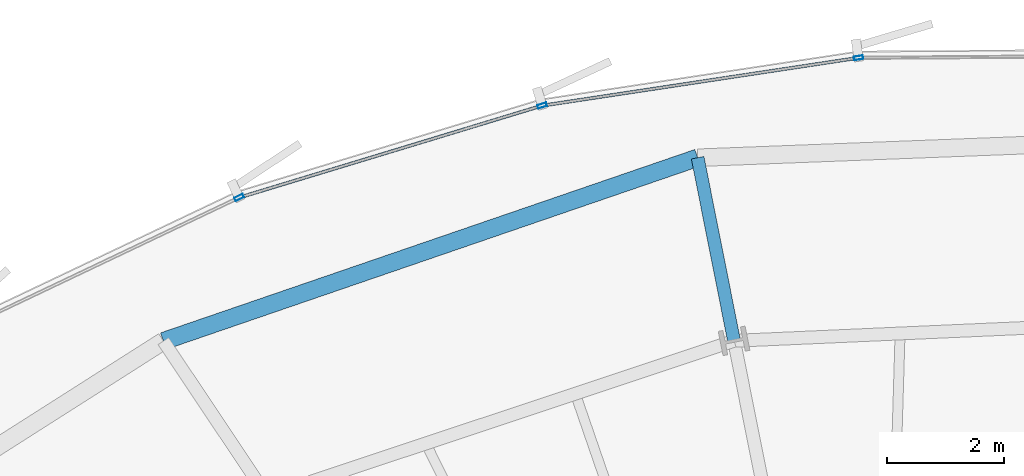
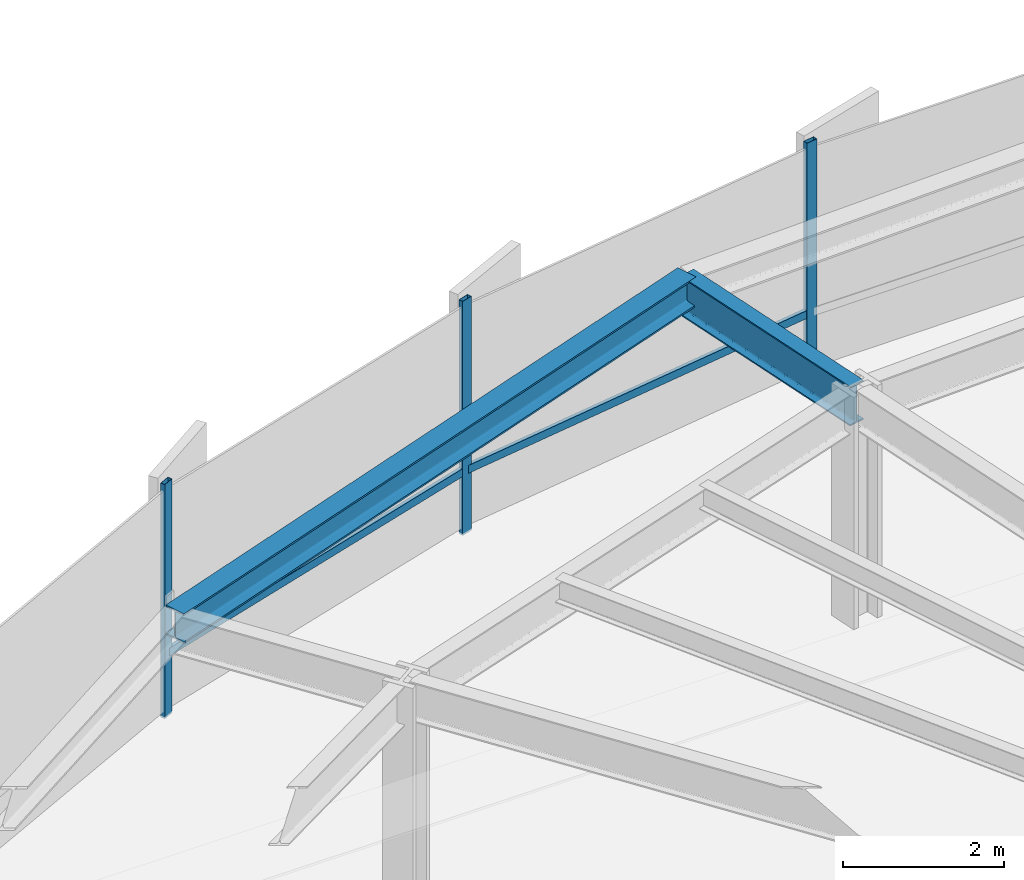
# One storey, part 21 of 37: 5 members, 2 beams, 1 element without a shape of its own.
"""IFC4 building model written with IfcOpenShell, lengths in metres."""

from ifc_helpers import new_model, si_unit, direction, frame, origin, origin_2d, place, context, subcontext, project, spatial, hollow_rectangle, i_section, extrude, source, transform, mapped, material, layer, layer_set, material_profile, profile_set, type_object, element, aggregate, save


model = new_model("IFC4")

# Units and contexts
model_context = context("Model", 3, precision=1e-05, world=origin(), true_north=direction((0.0, 1.0)))
body_context = subcontext(model_context, "Body", "Model", "MODEL_VIEW")
ifc_project = project(units=[si_unit("LENGTHUNIT", "METRE"), si_unit("AREAUNIT", "SQUARE_METRE"), si_unit("VOLUMEUNIT", "CUBIC_METRE"), si_unit("PLANEANGLEUNIT", "RADIAN"), si_unit("MASSUNIT", "GRAM", prefix="KILO"), si_unit("THERMODYNAMICTEMPERATUREUNIT", "KELVIN")], contexts=[model_context])

# Site, building, storey
site_placement = place(None, origin())
site = spatial("IfcSite", under=ifc_project, at=site_placement, CompositionType="ELEMENT")
building_placement = place(site_placement, origin())
building = spatial("IfcBuilding", under=site, at=building_placement, Name="Kethvar Cultural Tower", CompositionType="ELEMENT")
storey_placement = place(building_placement, frame((0.0, 0.0, 48.60009765625)))
storey = spatial("IfcBuildingStorey", under=building, at=storey_placement, Name="L11", CompositionType="ELEMENT", Elevation=48.60009765625)

# Beams
ifc_material_1 = material(Name="Steel S355J2", Category="steel")
ifc_material_profile_1 = material_profile(ifc_material_1, i_section(OverallWidth=0.219970703125, OverallDepth=0.60009765625, WebThickness=0.011962890625, FlangeThickness=0.01904296875, FilletRadius=0.02392578125, at=origin_2d()), Name="Steel S355J2 — IPE600")
ifc_profile_set_1 = profile_set([ifc_material_profile_1], Name="Steel S355J2 — IPE600")
beam_type_1 = type_object("IfcBeamType", Name="BM-IPE600", PredefinedType="BEAM", material=ifc_profile_set_1)
shared_shape_1 = source(origin(), body_context, "Body", "SweptSolid", [
    extrude(i_section(OverallWidth=0.219970703125, OverallDepth=0.60009765625, WebThickness=0.011962890625, FlangeThickness=0.01904296875, FilletRadius=0.02392578125, at=origin_2d()), origin(), (0.0, 0.0, 1.0), 3.199951171875),
])
beam_1_placement = place(storey_placement, frame((42.651611328125, 48.65576171875, 3.247802734375), z_axis=(-0.195162356126, 0.980770949178, 0.0), x_axis=(-0.980770949178, -0.195162356126, 0.0)))
element("IfcBeam", 1, at=beam_1_placement, inside=storey, type_object=beam_type_1, Name="L11 Perimeter Cantilever Beam RC-05", PredefinedType="BEAM", context=body_context, shape_type="MappedRepresentation", body=[
    mapped(shared_shape_1, transform((0.0, 0.0, 0.0), scale=1.0)),
])
ifc_material_profile_2 = material_profile(ifc_material_1, i_section(OverallWidth=0.300048828125, OverallDepth=0.449951171875, WebThickness=0.013916015625, FlangeThickness=0.02587890625, FilletRadius=0.027099609375, at=origin_2d()), Name="Steel S355J2 — HEB450")
ifc_profile_set_2 = profile_set([ifc_material_profile_2], Name="Steel S355J2 — HEB450")
beam_type_2 = type_object("IfcBeamType", Name="BM-SP450", PredefinedType="SPANDREL", material=ifc_profile_set_2)
shared_shape_2 = source(origin(), body_context, "Body", "SweptSolid", [
    extrude(i_section(OverallWidth=0.300048828125, OverallDepth=0.449951171875, WebThickness=0.013916015625, FlangeThickness=0.02587890625, FilletRadius=0.027099609375, at=origin_2d()), origin(), (0.0, 0.0, 1.0), 9.683349609375),
])
beam_2_placement = place(storey_placement, frame((42.027099609375, 51.794189453125, 3.322998046875), z_axis=(-0.945832074112, -0.324656260652, 0.0), x_axis=(0.324656260652, -0.945832074112, 0.0)))
element("IfcBeam", 2, at=beam_2_placement, inside=storey, type_object=beam_type_2, Name="L11 Perimeter Spandrel Beam SP-05", PredefinedType="SPANDREL", context=body_context, shape_type="MappedRepresentation", body=[
    mapped(shared_shape_2, transform((0.0, 0.0, 0.0), scale=1.0)),
])

# Curtain wall, members
ifc_material_2 = material(Name="Aluminium 6063-T6", Category="aluminium")
ifc_layer = layer(ifc_material_2, 0.179931640625, Name="Aluminium 6063-T6", Category="aluminium")
ifc_layer_set = layer_set([ifc_layer], Name="Aluminium 6063-T6 (180 mm)")
curtain_wall_type = type_object("IfcCurtainWallType", Name="CW-SYS-02-Z1", PredefinedType="NOTDEFINED", material=ifc_layer_set)
curtain_wall_placement = place(storey_placement, origin())
curtain_wall = element("IfcCurtainWall", 3, at=curtain_wall_placement, inside=storey, type_object=curtain_wall_type, Name="L11 Curtain Wall Run 02", PredefinedType="NOTDEFINED")
ifc_material_profile_3 = material_profile(ifc_material_2, hollow_rectangle(XDim=0.06494140625, YDim=0.159912109375, WallThickness=0.0048828125, at=origin_2d()), Name="Aluminium 6063-T6 — RHS160x65x5")
ifc_profile_set_3 = profile_set([ifc_material_profile_3], Name="Aluminium 6063-T6 — RHS160x65x5")
member_type_1 = type_object("IfcMemberType", Name="CW-SYS-02-Z1-MUL", PredefinedType="MULLION", material=ifc_profile_set_3)
shared_shape_3 = source(origin(), body_context, "Body", "SweptSolid", [
    extrude(hollow_rectangle(XDim=0.06494140625, YDim=0.159912109375, WallThickness=0.0048828125, at=origin_2d()), origin(), (0.0, 0.0, 1.0), 3.5498046875),
])
member_1_placement = place(storey_placement, frame((44.785400390625, 53.507568359375, 0.0), z_axis=(0.0, 0.0, 1.0), x_axis=(0.149569857461, -0.988751160676, 0.0)))
member_1 = element("IfcMember", 4, at=member_1_placement, type_object=member_type_1, Name="CW-L11-R02 Mullion 4", PredefinedType="MULLION", context=body_context, shape_type="MappedRepresentation", body=[
    mapped(shared_shape_3, transform((0.0, 0.0, 0.0), scale=1.0)),
])
member_2_placement = place(storey_placement, frame((39.362548828125, 52.688720703125, 0.0), z_axis=(0.0, 0.0, 1.0), x_axis=(0.290518493221, -0.956869377238, 0.0)))
member_2 = element("IfcMember", 5, at=member_2_placement, type_object=member_type_1, Name="CW-L11-R02 Mullion 5", PredefinedType="MULLION", context=body_context, shape_type="MappedRepresentation", body=[
    mapped(shared_shape_3, transform((0.0, 0.0, 0.0), scale=1.0)),
])
member_3_placement = place(storey_placement, frame((34.16650390625, 51.1123046875, 0.0), z_axis=(0.0, 0.0, 1.0), x_axis=(0.429266194262, -0.903178019254, 0.0)))
member_3 = element("IfcMember", 6, at=member_3_placement, type_object=member_type_1, Name="CW-L11-R02 Mullion 6", PredefinedType="MULLION", context=body_context, shape_type="MappedRepresentation", body=[
    mapped(shared_shape_3, transform((0.0, 0.0, 0.0), scale=1.0)),
])
ifc_material_profile_4 = material_profile(ifc_material_2, hollow_rectangle(XDim=0.054931640625, YDim=0.1201171875, WallThickness=0.00390625, at=origin_2d()), Name="Aluminium 6063-T6 — RHS120x55x4")
ifc_profile_set_4 = profile_set([ifc_material_profile_4], Name="Aluminium 6063-T6 — RHS120x55x4")
member_type_2 = type_object("IfcMemberType", Name="CW-SYS-02-Z1-TRN", PredefinedType="USERDEFINED", material=ifc_profile_set_4)
shared_shape_4 = source(origin(), body_context, "Body", "SweptSolid", [
    extrude(hollow_rectangle(XDim=0.054931640625, YDim=0.1201171875, WallThickness=0.00390625, at=origin_2d()), origin(), (0.0, 0.0, 1.0), 5.407958984375),
])
member_4_placement = place(storey_placement, frame((44.739013671875, 53.50048828125, 0.949951171875), z_axis=(-0.988758824395, -0.149519186668, 0.0), x_axis=(0.149519186668, -0.988758824395, 0.0)))
member_4 = element("IfcMember", 7, at=member_4_placement, type_object=member_type_2, Name="CW-L11-R02 Transom 4", ObjectType="TRANSOM", PredefinedType="USERDEFINED", context=body_context, shape_type="MappedRepresentation", body=[
    mapped(shared_shape_4, transform((0.0, 0.0, 0.0), scale=1.0)),
])
shared_shape_5 = source(origin(), body_context, "Body", "SweptSolid", [
    extrude(hollow_rectangle(XDim=0.054931640625, YDim=0.1201171875, WallThickness=0.00390625, at=origin_2d()), origin(), (0.0, 0.0, 1.0), 5.354248046875),
])
member_5_placement = place(storey_placement, frame((39.31787109375, 52.675048828125, 0.949951171875), z_axis=(-0.956873560266, -0.29050471539, 0.0), x_axis=(0.29050471539, -0.956873560266, 0.0)))
member_5 = element("IfcMember", 8, at=member_5_placement, type_object=member_type_2, Name="CW-L11-R02 Transom 5", ObjectType="TRANSOM", PredefinedType="USERDEFINED", context=body_context, shape_type="MappedRepresentation", body=[
    mapped(shared_shape_5, transform((0.0, 0.0, 0.0), scale=1.0)),
])
aggregate(curtain_wall, [member_1, member_2, member_3, member_4, member_5])

save(model, "model.ifc")
